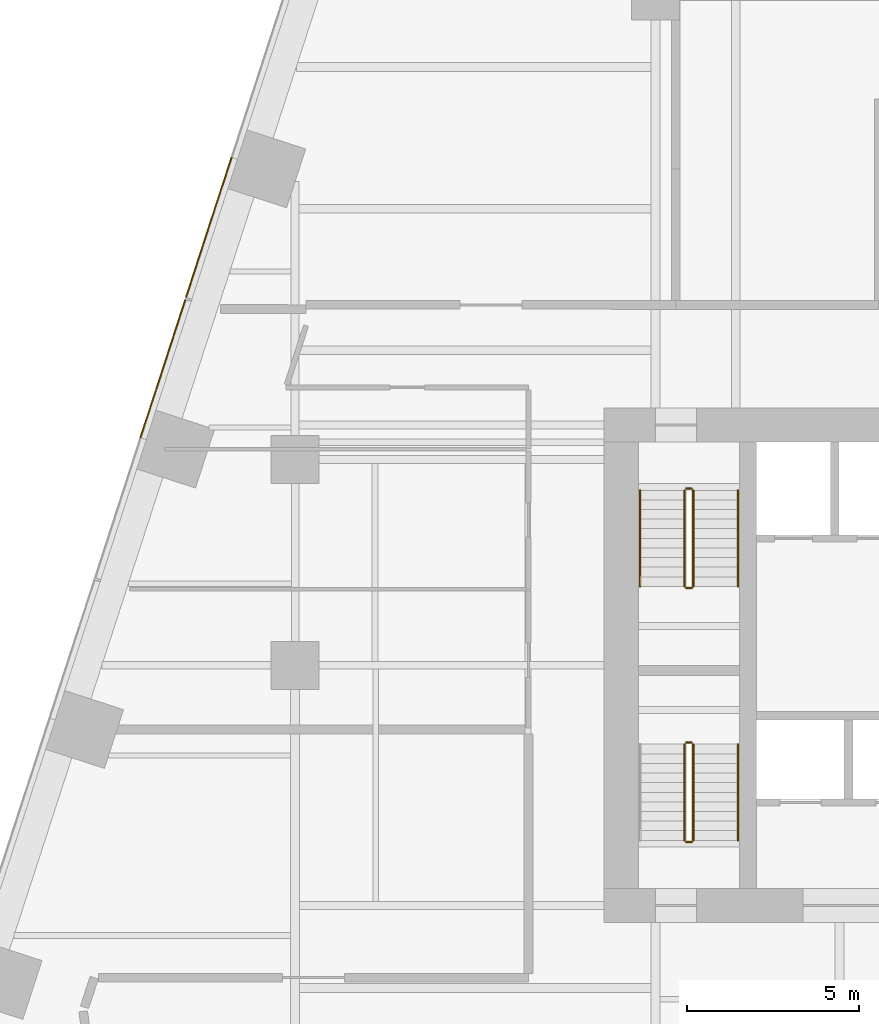
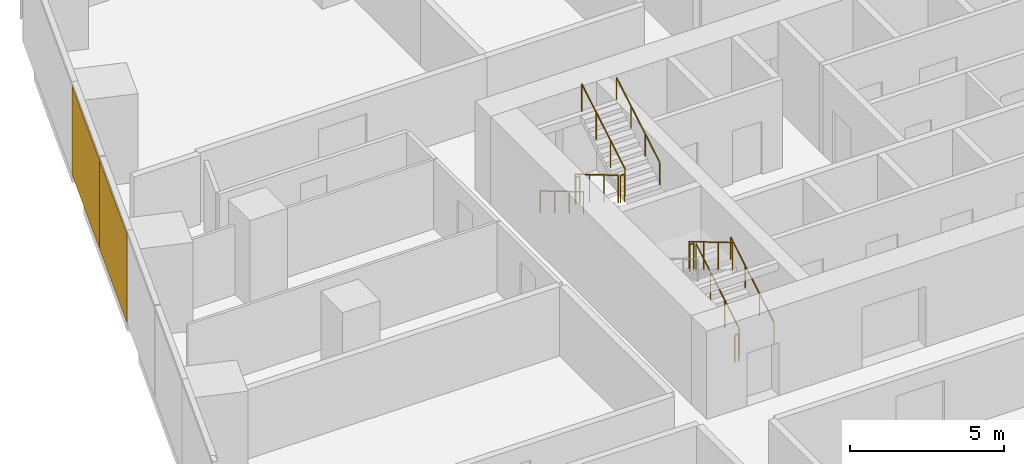
# One storey, part 19 of 20: 11 railings, 2 coverings, 1 element without a shape of its own.
"""IFC4 building model written with IfcOpenShell, lengths in metres."""

from ifc_helpers import new_model, si_unit, direction, frame, origin, origin_2d, place, context, subcontext, project, spatial, rectangle, circle, extrude, material, layer, layer_set, type_object, element, aggregate, save


model = new_model("IFC4")

# Units and contexts
model_context = context("Model", 3, precision=1e-05, world=origin(), true_north=direction((0.0, 1.0)))
body_context = subcontext(model_context, "Body", "Model", "MODEL_VIEW")
ifc_project = project(units=[si_unit("LENGTHUNIT", "METRE"), si_unit("AREAUNIT", "SQUARE_METRE"), si_unit("VOLUMEUNIT", "CUBIC_METRE"), si_unit("PLANEANGLEUNIT", "RADIAN"), si_unit("MASSUNIT", "GRAM", prefix="KILO")], contexts=[model_context])

# Site, building, storey
site_placement = place(None, origin())
site = spatial("IfcSite", under=ifc_project, at=site_placement, CompositionType="ELEMENT")
building_placement = place(site_placement, origin())
building = spatial("IfcBuilding", under=site, at=building_placement, Name="Isthmus Gate Tower", CompositionType="ELEMENT")
storey_placement = place(building_placement, frame((0.0, 0.0, 65.199951171875)))
storey = spatial("IfcBuildingStorey", under=building, at=storey_placement, Name="L14", CompositionType="ELEMENT", Elevation=65.199951171875)

# Curtain wall, coverings
ifc_material_1 = material(Name="Aluminium, pale champagne anodised", Category="aluminium")
ifc_layer_1 = layer(ifc_material_1, 0.199951171875)
ifc_layer_set_1 = layer_set([ifc_layer_1], Name="CW-1 UNITISED CURTAIN WALL 200 DEEP")
curtain_wall_type = type_object("IfcCurtainWallType", Name="CW-1 UNITISED CURTAIN WALL 200 DEEP", PredefinedType="NOTDEFINED", material=ifc_layer_set_1)
curtain_wall_placement = place(storey_placement, origin())
curtain_wall = element("IfcCurtainWall", 1, at=curtain_wall_placement, inside=storey, type_object=curtain_wall_type, Name="CW-1 NW L14", PredefinedType="NOTDEFINED")
ifc_material_2 = material(Name="Aluminium composite panel, pale champagne anodised", Category="aluminium")
ifc_layer_2 = layer(ifc_material_2, 0.0400390625)
ifc_layer_set_2 = layer_set([ifc_layer_2], Name="CW-1 PALE METAL PANEL 40")
covering_type = type_object("IfcCoveringType", Name="CW-1 PALE METAL PANEL 40", PredefinedType="CLADDING", material=ifc_layer_set_2)
covering_1_placement = place(storey_placement, frame((-26.51806640625, 20.25927734375, 0.0), z_axis=(0.0, 0.0, 1.0), x_axis=(-0.309016994375, -0.951056516295, 0.0)))
covering_1 = element("IfcCovering", 2, at=covering_1_placement, type_object=covering_type, Name="CW-1 pale metal panel", PredefinedType="CLADDING", context=body_context, shape_type="SweptSolid", body=[
    extrude(rectangle(XDim=4.294677734375, YDim=0.0400390625, at=origin_2d()), origin(), (0.0, 0.0, 1.0), 3.5),
])
covering_2_placement = place(storey_placement, frame((-27.8544921875, 16.146484375, 0.0), z_axis=(0.0, 0.0, 1.0), x_axis=(-0.309016994375, -0.951056516295, 0.0)))
covering_2 = element("IfcCovering", 3, at=covering_2_placement, type_object=covering_type, Name="CW-1 pale metal panel", PredefinedType="CLADDING", context=body_context, shape_type="SweptSolid", body=[
    extrude(rectangle(XDim=4.234619140625, YDim=0.0400390625, at=origin_2d()), origin(), (0.0, 0.0, 1.0), 3.5),
])
aggregate(curtain_wall, [covering_1, covering_2])

# Railings
ifc_material_3 = material(Name="Stainless steel balustrade", Category="steel")
railing_type_1 = type_object("IfcRailingType", Name="STAIR GUARD 1100", PredefinedType="GUARDRAIL", material=ifc_material_3)
railing_1_placement = place(storey_placement, frame((-12.64990234375, 12.60009765625, 0.166015625)))
element("IfcRailing", 4, at=railing_1_placement, inside=storey, type_object=railing_type_1, Name="L14 ST1 stair guard 1", PredefinedType="GUARDRAIL", context=body_context, shape_type="SweptSolid", body=[
    extrude(circle(Radius=0.02392578125, at=origin_2d()), frame((0.0, 0.0, 1.076171875), z_axis=(0.0, -0.860339051648, 0.50972219513), x_axis=(1.0, 0.0, 0.0)), (0.0, 0.0, 1.0), 3.254638671875),
    extrude(circle(Radius=0.02099609375, at=origin_2d()), origin(), (0.0, 0.0, 1.0), 1.052001953125),
    extrude(circle(Radius=0.02099609375, at=origin_2d()), frame((0.0, -0.933349609375, 0.552978515625)), (0.0, 0.0, 1.0), 1.052001953125),
    extrude(circle(Radius=0.02099609375, at=origin_2d()), frame((0.0, -1.86669921875, 1.10595703125)), (0.0, 0.0, 1.0), 1.052001953125),
    extrude(circle(Radius=0.02099609375, at=origin_2d()), frame((0.0, -2.800048828125, 1.658935546875)), (0.0, 0.0, 1.0), 1.052001953125),
])
railing_2_placement = place(storey_placement, frame((-12.60009765625, 9.75, 1.824951171875)))
element("IfcRailing", 5, at=railing_2_placement, inside=storey, type_object=railing_type_1, Name="L14 ST1 stair guard 2", PredefinedType="GUARDRAIL", context=body_context, shape_type="SweptSolid", body=[
    extrude(circle(Radius=0.02392578125, at=origin_2d()), frame((0.0, 0.0, 1.076171875), z_axis=(1.0, 0.0, 0.0), x_axis=(0.0, 1.0, 0.0)), (0.0, 0.0, 1.0), 0.150146484375),
    extrude(circle(Radius=0.02099609375, at=origin_2d()), origin(), (0.0, 0.0, 1.0), 1.052001953125),
    extrude(circle(Radius=0.02099609375, at=origin_2d()), frame((0.150146484375, 0.0, 0.0)), (0.0, 0.0, 1.0), 1.052001953125),
])
railing_3_placement = place(storey_placement, frame((-12.39990234375, 9.800048828125, 1.990966796875)))
element("IfcRailing", 6, at=railing_3_placement, inside=storey, type_object=railing_type_1, Name="L14 ST1 stair guard 3", PredefinedType="GUARDRAIL", context=body_context, shape_type="SweptSolid", body=[
    extrude(circle(Radius=0.02392578125, at=origin_2d()), frame((0.0, 0.0, 1.076171875), z_axis=(0.0, 0.860306154799, 0.50977771628), x_axis=(-1.0, 0.0, 0.0)), (0.0, 0.0, 1.0), 3.254638671875),
    extrude(circle(Radius=0.02099609375, at=origin_2d()), origin(), (0.0, 0.0, 1.0), 1.052001953125),
    extrude(circle(Radius=0.02099609375, at=origin_2d()), frame((0.0, 0.933349609375, 0.552978515625)), (0.0, 0.0, 1.0), 1.052001953125),
    extrude(circle(Radius=0.02099609375, at=origin_2d()), frame((0.0, 1.86669921875, 1.106201171875)), (0.0, 0.0, 1.0), 1.052001953125),
    extrude(circle(Radius=0.02099609375, at=origin_2d()), frame((0.0, 2.800048828125, 1.6591796875)), (0.0, 0.0, 1.0), 1.052001953125),
])
railing_4_placement = place(storey_placement, frame((-12.60009765625, 12.64990234375, 0.0)))
element("IfcRailing", 7, at=railing_4_placement, inside=storey, type_object=railing_type_1, Name="L14 ST1 stair guard 4", PredefinedType="GUARDRAIL", context=body_context, shape_type="SweptSolid", body=[
    extrude(circle(Radius=0.02392578125, at=origin_2d()), frame((0.0, 0.0, 1.076171875), z_axis=(1.0, 0.0, 0.0), x_axis=(0.0, 1.0, 0.0)), (0.0, 0.0, 1.0), 0.150146484375),
    extrude(circle(Radius=0.02099609375, at=origin_2d()), origin(), (0.0, 0.0, 1.0), 1.052001953125),
    extrude(circle(Radius=0.02099609375, at=origin_2d()), frame((0.150146484375, 0.0, 0.0)), (0.0, 0.0, 1.0), 1.052001953125),
])
railing_5_placement = place(storey_placement, frame((-12.39990234375, 2.39990234375, 0.166015625)))
element("IfcRailing", 8, at=railing_5_placement, inside=storey, type_object=railing_type_1, Name="L14 ST7 stair guard 1", PredefinedType="GUARDRAIL", context=body_context, shape_type="SweptSolid", body=[
    extrude(circle(Radius=0.02392578125, at=origin_2d()), frame((0.0, 0.0, 1.076171875), z_axis=(0.0, 0.860339051648, 0.50972219513), x_axis=(-1.0, 0.0, 0.0)), (0.0, 0.0, 1.0), 3.254638671875),
    extrude(circle(Radius=0.02099609375, at=origin_2d()), origin(), (0.0, 0.0, 1.0), 1.052001953125),
    extrude(circle(Radius=0.02099609375, at=origin_2d()), frame((0.0, 0.933349609375, 0.552978515625)), (0.0, 0.0, 1.0), 1.052001953125),
    extrude(circle(Radius=0.02099609375, at=origin_2d()), frame((0.0, 1.86669921875, 1.10595703125)), (0.0, 0.0, 1.0), 1.052001953125),
    extrude(circle(Radius=0.02099609375, at=origin_2d()), frame((0.0, 2.800048828125, 1.658935546875)), (0.0, 0.0, 1.0), 1.052001953125),
])
railing_6_placement = place(storey_placement, frame((-12.449951171875, 5.25, 1.824951171875)))
element("IfcRailing", 9, at=railing_6_placement, inside=storey, type_object=railing_type_1, Name="L14 ST7 stair guard 2", PredefinedType="GUARDRAIL", context=body_context, shape_type="SweptSolid", body=[
    extrude(circle(Radius=0.02392578125, at=origin_2d()), frame((0.0, 0.0, 1.076171875), z_axis=(-1.0, 0.0, 0.0), x_axis=(0.0, -1.0, 0.0)), (0.0, 0.0, 1.0), 0.150146484375),
    extrude(circle(Radius=0.02099609375, at=origin_2d()), origin(), (0.0, 0.0, 1.0), 1.052001953125),
    extrude(circle(Radius=0.02099609375, at=origin_2d()), frame((-0.150146484375, 0.0, 0.0)), (0.0, 0.0, 1.0), 1.052001953125),
])
railing_7_placement = place(storey_placement, frame((-12.64990234375, 5.199951171875, 1.990966796875)))
element("IfcRailing", 10, at=railing_7_placement, inside=storey, type_object=railing_type_1, Name="L14 ST7 stair guard 3", PredefinedType="GUARDRAIL", context=body_context, shape_type="SweptSolid", body=[
    extrude(circle(Radius=0.02392578125, at=origin_2d()), frame((0.0, 0.0, 1.076171875), z_axis=(0.0, -0.860306154799, 0.50977771628), x_axis=(1.0, 0.0, 0.0)), (0.0, 0.0, 1.0), 3.254638671875),
    extrude(circle(Radius=0.02099609375, at=origin_2d()), origin(), (0.0, 0.0, 1.0), 1.052001953125),
    extrude(circle(Radius=0.02099609375, at=origin_2d()), frame((0.0, -0.933349609375, 0.552978515625)), (0.0, 0.0, 1.0), 1.052001953125),
    extrude(circle(Radius=0.02099609375, at=origin_2d()), frame((0.0, -1.86669921875, 1.106201171875)), (0.0, 0.0, 1.0), 1.052001953125),
    extrude(circle(Radius=0.02099609375, at=origin_2d()), frame((0.0, -2.800048828125, 1.6591796875)), (0.0, 0.0, 1.0), 1.052001953125),
])
railing_8_placement = place(storey_placement, frame((-12.449951171875, 2.35009765625, 0.0)))
element("IfcRailing", 11, at=railing_8_placement, inside=storey, type_object=railing_type_1, Name="L14 ST7 stair guard 4", PredefinedType="GUARDRAIL", context=body_context, shape_type="SweptSolid", body=[
    extrude(circle(Radius=0.02392578125, at=origin_2d()), frame((0.0, 0.0, 1.076171875), z_axis=(-1.0, 0.0, 0.0), x_axis=(0.0, -1.0, 0.0)), (0.0, 0.0, 1.0), 0.150146484375),
    extrude(circle(Radius=0.02099609375, at=origin_2d()), origin(), (0.0, 0.0, 1.0), 1.052001953125),
    extrude(circle(Radius=0.02099609375, at=origin_2d()), frame((-0.150146484375, 0.0, 0.0)), (0.0, 0.0, 1.0), 1.052001953125),
])
ifc_material_4 = material(Name="Stainless steel handrail", Category="steel")
railing_type_2 = type_object("IfcRailingType", Name="STAIR HANDRAIL 900", PredefinedType="HANDRAIL", material=ifc_material_4)
railing_9_placement = place(storey_placement, frame((-13.949951171875, 12.60009765625, 0.166015625)))
element("IfcRailing", 12, at=railing_9_placement, inside=storey, type_object=railing_type_2, Name="L14 ST1 stair handrail 1", PredefinedType="HANDRAIL", context=body_context, shape_type="SweptSolid", body=[
    extrude(circle(Radius=0.02392578125, at=origin_2d()), frame((0.0, 0.0, 0.8759765625), z_axis=(0.0, -0.860339051648, 0.50972219513), x_axis=(1.0, 0.0, 0.0)), (0.0, 0.0, 1.0), 3.254638671875),
    extrude(circle(Radius=0.02099609375, at=origin_2d()), origin(), (0.0, 0.0, 1.0), 0.851806640625),
    extrude(circle(Radius=0.02099609375, at=origin_2d()), frame((0.0, -0.933349609375, 0.552978515625)), (0.0, 0.0, 1.0), 0.851806640625),
    extrude(circle(Radius=0.02099609375, at=origin_2d()), frame((0.0, -1.86669921875, 1.10595703125)), (0.0, 0.0, 1.0), 0.851806640625),
    extrude(circle(Radius=0.02099609375, at=origin_2d()), frame((0.0, -2.800048828125, 1.658935546875)), (0.0, 0.0, 1.0), 0.851806640625),
])
railing_10_placement = place(storey_placement, frame((-11.10009765625, 9.800048828125, 1.990966796875)))
element("IfcRailing", 13, at=railing_10_placement, inside=storey, type_object=railing_type_2, Name="L14 ST1 stair handrail 2", PredefinedType="HANDRAIL", context=body_context, shape_type="SweptSolid", body=[
    extrude(circle(Radius=0.02392578125, at=origin_2d()), frame((0.0, 0.0, 0.8759765625), z_axis=(0.0, 0.860306154799, 0.50977771628), x_axis=(-1.0, 0.0, 0.0)), (0.0, 0.0, 1.0), 3.254638671875),
    extrude(circle(Radius=0.02099609375, at=origin_2d()), origin(), (0.0, 0.0, 1.0), 0.851806640625),
    extrude(circle(Radius=0.02099609375, at=origin_2d()), frame((0.0, 0.933349609375, 0.552978515625)), (0.0, 0.0, 1.0), 0.851806640625),
    extrude(circle(Radius=0.02099609375, at=origin_2d()), frame((0.0, 1.86669921875, 1.106201171875)), (0.0, 0.0, 1.0), 0.851806640625),
    extrude(circle(Radius=0.02099609375, at=origin_2d()), frame((0.0, 2.800048828125, 1.6591796875)), (0.0, 0.0, 1.0), 0.851806640625),
])
railing_11_placement = place(storey_placement, frame((-11.10009765625, 2.39990234375, 0.166015625)))
element("IfcRailing", 14, at=railing_11_placement, inside=storey, type_object=railing_type_2, Name="L14 ST7 stair handrail 1", PredefinedType="HANDRAIL", context=body_context, shape_type="SweptSolid", body=[
    extrude(circle(Radius=0.02392578125, at=origin_2d()), frame((0.0, 0.0, 0.8759765625), z_axis=(0.0, 0.860339051648, 0.50972219513), x_axis=(-1.0, 0.0, 0.0)), (0.0, 0.0, 1.0), 3.254638671875),
    extrude(circle(Radius=0.02099609375, at=origin_2d()), origin(), (0.0, 0.0, 1.0), 0.851806640625),
    extrude(circle(Radius=0.02099609375, at=origin_2d()), frame((0.0, 0.933349609375, 0.552978515625)), (0.0, 0.0, 1.0), 0.851806640625),
    extrude(circle(Radius=0.02099609375, at=origin_2d()), frame((0.0, 1.86669921875, 1.10595703125)), (0.0, 0.0, 1.0), 0.851806640625),
    extrude(circle(Radius=0.02099609375, at=origin_2d()), frame((0.0, 2.800048828125, 1.658935546875)), (0.0, 0.0, 1.0), 0.851806640625),
])

save(model, "model.ifc")
